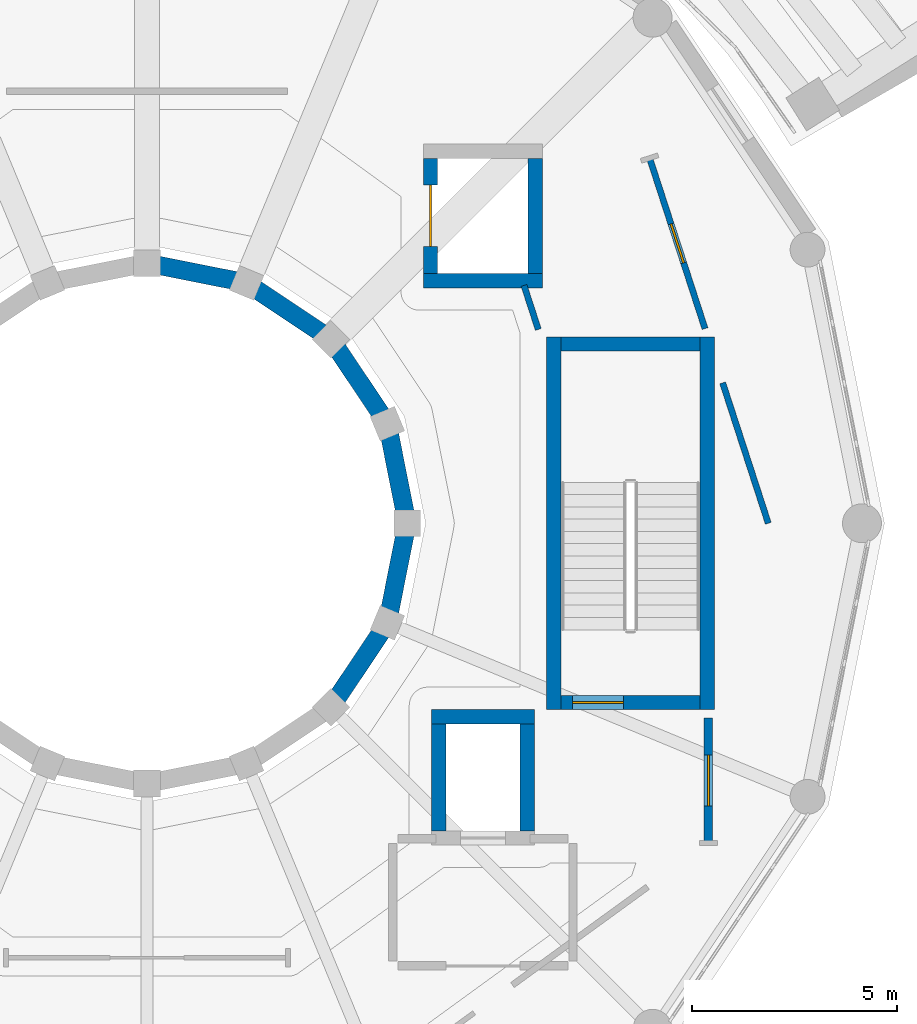
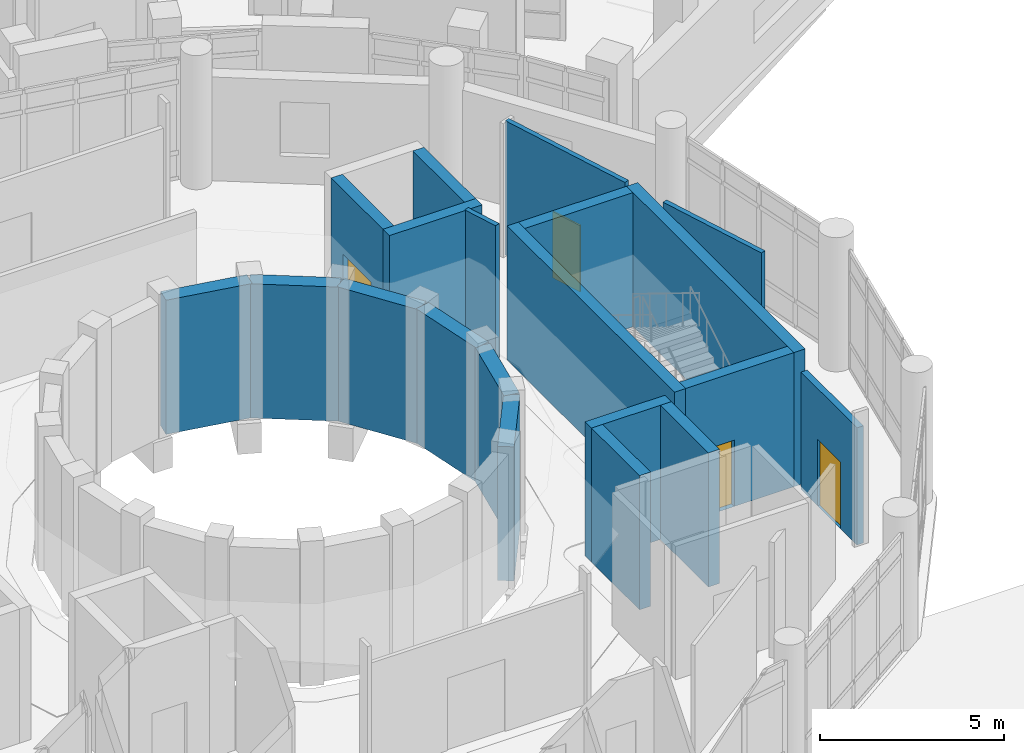
# One storey, part 51 of 75: 20 walls, 4 doors, 4 openings.
"""IFC4 building model written with IfcOpenShell, lengths in metres."""

from ifc_helpers import new_model, si_unit, direction, frame, frame_2d, origin, place, context, subcontext, project, spatial, rectangle, extrude, material, layer, layer_set, type_object, element, fill, save


model = new_model("IFC4")

# Units and contexts
model_context = context("Model", 3, precision=1e-05, world=origin(), true_north=direction((0.0, 1.0)))
body_context = subcontext(model_context, "Body", "Model", "MODEL_VIEW")
ifc_project = project(units=[si_unit("LENGTHUNIT", "METRE"), si_unit("AREAUNIT", "SQUARE_METRE"), si_unit("VOLUMEUNIT", "CUBIC_METRE"), si_unit("PLANEANGLEUNIT", "RADIAN"), si_unit("MASSUNIT", "GRAM", prefix="KILO")], contexts=[model_context])

# Site, building, storey
site_placement = place(None, origin())
site = spatial("IfcSite", under=ifc_project, at=site_placement, CompositionType="ELEMENT")
building_placement = place(site_placement, origin())
building = spatial("IfcBuilding", under=site, at=building_placement, Name="Soyqirgoq Riverine Aquarium", CompositionType="ELEMENT")
storey_placement = place(building_placement, frame((0.0, 0.0, 10.199951171875)))
storey = spatial("IfcBuildingStorey", under=building, at=storey_placement, Name="L03", CompositionType="ELEMENT", Elevation=10.199951171875)

# Walls
ifc_material_1 = material(Name="Concrete C40/50", Category="concrete")
ifc_layer_1 = layer(ifc_material_1, 0.35009765625)
ifc_layer_set_1 = layer_set([ifc_layer_1], Name="Concrete C40/50")
wall_type_1 = type_object("IfcWallType", Name="CoreShearWall_350_C40", PredefinedType="SHEAR", material=ifc_layer_set_1)
wall_1_placement = place(storey_placement, frame((69.675048828125, 52.449951171875, 0.0), z_axis=(0.0, 0.0, 1.0), x_axis=(0.0, 1.0, 0.0)))
element("IfcWall", 1, at=wall_1_placement, inside=storey, type_object=wall_type_1, Name="CORE-1 L03 Stair Core Shear Wall SIDE1", PredefinedType="SHEAR", context=body_context, shape_type="SweptSolid", body=[
    extrude(rectangle(XDim=9.10009765625, YDim=0.35009765625, at=frame_2d((4.550048828125, 0.0))), origin(), (0.0, 0.0, 1.0), 4.449951171875),
])
wall_2_placement = place(storey_placement, frame((69.5, 61.375, 0.0), z_axis=(0.0, 0.0, 1.0), x_axis=(-1.0, 0.0, 0.0)))
element("IfcWall", 2, at=wall_2_placement, inside=storey, type_object=wall_type_1, Name="CORE-1 L03 Stair Core Shear Wall BACK", PredefinedType="SHEAR", context=body_context, shape_type="SweptSolid", body=[
    extrude(rectangle(XDim=3.39990234375, YDim=0.35009765625, at=frame_2d((1.699951171875, 0.0))), origin(), (0.0, 0.0, 1.0), 4.449951171875),
])
wall_3_placement = place(storey_placement, frame((65.925048828125, 61.550048828125, 0.0), z_axis=(0.0, 0.0, 1.0), x_axis=(0.0, -1.0, 0.0)))
element("IfcWall", 3, at=wall_3_placement, inside=storey, type_object=wall_type_1, Name="CORE-1 L03 Stair Core Shear Wall SIDE2", PredefinedType="SHEAR", context=body_context, shape_type="SweptSolid", body=[
    extrude(rectangle(XDim=9.10009765625, YDim=0.35009765625, at=frame_2d((4.550048828125, 0.0))), origin(), (0.0, 0.0, 1.0), 4.449951171875),
])

# Wall, opening, door
wall_4_placement = place(storey_placement, frame((66.10009765625, 52.625, 0.0), z_axis=(0.0, 0.0, 1.0), x_axis=(1.0, 0.0, 0.0)))
wall_4 = element("IfcWall", 4, at=wall_4_placement, inside=storey, type_object=wall_type_1, Name="CORE-1 L03 Stair Core Shear Wall FRONT", PredefinedType="SHEAR", context=body_context, shape_type="SweptSolid", body=[
    extrude(rectangle(XDim=3.39990234375, YDim=0.35009765625, at=frame_2d((1.699951171875, 0.0))), origin(), (0.0, 0.0, 1.0), 4.449951171875),
])
opening_1_placement = place(wall_4_placement, frame((0.280029296875, 0.0, 0.0)))
opening_1 = element("IfcOpeningElement", 5, at=opening_1_placement, cuts=wall_4, Name="Opening FD-01", PredefinedType="OPENING", context=body_context, shape_type="SweptSolid", body=[
    extrude(rectangle(XDim=1.25, YDim=2.199951171875, at=frame_2d((0.625, 1.10009765625))), frame((0.0, 0.18505859375, 0.0), z_axis=(0.0, -1.0, 0.0), x_axis=(1.0, 0.0, 0.0)), (0.0, 0.0, 1.0), 0.3701171875),
])
ifc_material_2 = material(Name="Galvanised steel fire-resisting stair door", Category="steel")
door_type_1 = type_object("IfcDoorType", Name="StairFireDoor_1250x2200_EI90", OperationType="NOTDEFINED", PredefinedType="DOOR", material=ifc_material_2)
door_1_placement = place(opening_1_placement, origin())
door_1 = element("IfcDoor", 6, at=door_1_placement, inside=storey, type_object=door_type_1, Name="DR-ST-1-L03 ST-1 L03 Fire-Rated Stairwell Door", OperationType="SINGLE_SWING_RIGHT", OverallHeight=2.199951171875, OverallWidth=1.25, PredefinedType="DOOR", context=body_context, shape_type="SweptSolid", body=[
    extrude(rectangle(XDim=1.25, YDim=2.199951171875, at=frame_2d((0.625, 1.10009765625))), frame((0.0, 0.02490234375, 0.0), z_axis=(0.0, -1.0, 0.0), x_axis=(1.0, 0.0, 0.0)), (0.0, 0.0, 1.0), 0.050048828125),
])
fill(opening_1, door_1)

# Walls
wall_5_placement = place(storey_placement, frame((65.280029296875, 49.4951171875, 0.0), z_axis=(0.0, 0.0, 1.0), x_axis=(0.0, 1.0, 0.0)))
element("IfcWall", 7, at=wall_5_placement, inside=storey, type_object=wall_type_1, Name="Lift FFL-1 Shaft Wall L03 2", PredefinedType="SHEAR", context=body_context, shape_type="SweptSolid", body=[
    extrude(rectangle(XDim=2.60986328125, YDim=0.35009765625, at=frame_2d((1.304931640625, 0.0))), origin(), (0.0, 0.0, 1.0), 4.449951171875),
])
wall_6_placement = place(storey_placement, frame((65.455078125, 52.280029296875, 0.0), z_axis=(0.0, 0.0, 1.0), x_axis=(-1.0, 0.0, 0.0)))
element("IfcWall", 8, at=wall_6_placement, inside=storey, type_object=wall_type_1, Name="Lift FFL-1 Shaft Wall L03 3", PredefinedType="SHEAR", context=body_context, shape_type="SweptSolid", body=[
    extrude(rectangle(XDim=2.510009765625, YDim=0.35009765625, at=frame_2d((1.2548828125, 0.0))), origin(), (0.0, 0.0, 1.0), 4.449951171875),
])
wall_7_placement = place(storey_placement, frame((63.1201171875, 52.10498046875, 0.0), z_axis=(0.0, 0.0, 1.0), x_axis=(0.0, -1.0, 0.0)))
element("IfcWall", 9, at=wall_7_placement, inside=storey, type_object=wall_type_1, Name="Lift FFL-1 Shaft Wall L03 4", PredefinedType="SHEAR", context=body_context, shape_type="SweptSolid", body=[
    extrude(rectangle(XDim=2.60986328125, YDim=0.35009765625, at=frame_2d((1.304931640625, 0.0))), origin(), (0.0, 0.0, 1.0), 4.449951171875),
])
wall_8_placement = place(storey_placement, frame((62.7451171875, 62.919921875, 0.0), z_axis=(0.0, 0.0, 1.0), x_axis=(1.0, 0.0, 0.0)))
element("IfcWall", 10, at=wall_8_placement, inside=storey, type_object=wall_type_1, Name="Lift GL-1 Shaft Wall L03 1", PredefinedType="SHEAR", context=body_context, shape_type="SweptSolid", body=[
    extrude(rectangle(XDim=2.909912109375, YDim=0.35009765625, at=frame_2d((1.455078125, 0.0))), origin(), (0.0, 0.0, 1.0), 4.449951171875),
])
wall_9_placement = place(storey_placement, frame((65.47998046875, 63.094970703125, 0.0), z_axis=(0.0, 0.0, 1.0), x_axis=(0.0, 1.0, 0.0)))
element("IfcWall", 11, at=wall_9_placement, inside=storey, type_object=wall_type_1, Name="Lift GL-1 Shaft Wall L03 2", PredefinedType="SHEAR", context=body_context, shape_type="SweptSolid", body=[
    extrude(rectangle(XDim=2.81005859375, YDim=0.35009765625, at=frame_2d((1.405029296875, 0.0))), origin(), (0.0, 0.0, 1.0), 4.449951171875),
])

# Wall, opening, door
wall_10_placement = place(storey_placement, frame((62.919921875, 65.905029296875, 0.0), z_axis=(0.0, 0.0, 1.0), x_axis=(0.0, -1.0, 0.0)))
wall_10 = element("IfcWall", 12, at=wall_10_placement, inside=storey, type_object=wall_type_1, Name="Lift GL-1 Shaft Wall L03 4", PredefinedType="SHEAR", context=body_context, shape_type="SweptSolid", body=[
    extrude(rectangle(XDim=2.81005859375, YDim=0.35009765625, at=frame_2d((1.405029296875, 0.0))), origin(), (0.0, 0.0, 1.0), 4.449951171875),
])
opening_2_placement = place(wall_10_placement, frame((0.655029296875, 0.0, 0.0)))
opening_2 = element("IfcOpeningElement", 13, at=opening_2_placement, cuts=wall_10, Name="Opening LD-02", PredefinedType="OPENING", context=body_context, shape_type="SweptSolid", body=[
    extrude(rectangle(XDim=1.5, YDim=2.300048828125, at=frame_2d((0.75, 1.14990234375))), frame((0.0, 0.18505859375, 0.0), z_axis=(0.0, -1.0, 0.0), x_axis=(1.0, 0.0, 0.0)), (0.0, 0.0, 1.0), 0.3701171875),
])
ifc_material_3 = material(Name="Heavy-duty stainless steel bi-parting lift landing door", Category="steel")
door_type_2 = type_object("IfcDoorType", Name="GoodsLiftLandingDoor_1500x2300", OperationType="SLIDING_TO_LEFT", PredefinedType="DOOR", material=ifc_material_3)
door_2_placement = place(opening_2_placement, origin())
door_2 = element("IfcDoor", 14, at=door_2_placement, inside=storey, type_object=door_type_2, Name="LD-GL-1-L03 Lift GL-1 L03 Sliding Landing Door", OperationType="SLIDING_TO_LEFT", OverallHeight=2.300048828125, OverallWidth=1.5, PredefinedType="DOOR", context=body_context, shape_type="SweptSolid", body=[
    extrude(rectangle(XDim=1.5, YDim=2.300048828125, at=frame_2d((0.75, 1.14990234375))), frame((0.0, 0.02490234375, 0.0), z_axis=(0.0, -1.0, 0.0), x_axis=(1.0, 0.0, 0.0)), (0.0, 0.0, 1.0), 0.050048828125),
])
fill(opening_2, door_2)

# Walls
ifc_material_4 = material(Name="Concrete C40/50", Category="concrete")
ifc_layer_2 = layer(ifc_material_4, 0.449951171875)
ifc_layer_set_2 = layer_set([ifc_layer_2], Name="Concrete C40/50")
wall_type_2 = type_object("IfcWallType", Name="CoreShearWall_450_C40", PredefinedType="SHEAR", material=ifc_layer_set_2)
wall_11_placement = place(storey_placement, frame((62.35009765625, 57.0, 0.0), z_axis=(0.0, 0.0, 1.0), x_axis=(-0.195111669554, 0.980781033872, 0.0)))
element("IfcWall", 15, at=wall_11_placement, inside=storey, type_object=wall_type_2, Name="Ocean Tank Containment Wall Segment 01 L03", PredefinedType="SHEAR", context=body_context, shape_type="SweptSolid", body=[
    extrude(rectangle(XDim=2.4775390625, YDim=0.449951171875, at=frame_2d((1.23876953125, 0.0))), origin(), (0.0, 0.0, 1.0), 4.449951171875),
])
for number, where, z_axis, x_axis, name in (
    (16, (61.86669921875, 59.429931640625, 0.0), (0.0, 0.0, 1.0), (-0.55563212942, 0.831428251117, 0.0), "Ocean Tank Containment Wall Segment 02 L03"),
    (17, (60.489990234375, 61.489990234375, 0.0), (0.0, 0.0, 1.0), (-0.831428251117, 0.55563212942, 0.0), "Ocean Tank Containment Wall Segment 03 L03"),
):
    element("IfcWall", number, at=place(storey_placement, frame(where, z_axis=z_axis, x_axis=x_axis)), inside=storey, type_object=wall_type_2, Name=name, PredefinedType="SHEAR", context=body_context, shape_type="SweptSolid", body=[
        extrude(rectangle(XDim=2.477783203125, YDim=0.449951171875, at=frame_2d((1.23876953125, 0.0))), origin(), (0.0, 0.0, 1.0), 4.449951171875),
    ])
wall_12_placement = place(storey_placement, frame((58.429931640625, 62.86669921875, 0.0), z_axis=(0.0, 0.0, 1.0), x_axis=(-0.980781033872, 0.195111669554, 0.0)))
element("IfcWall", 18, at=wall_12_placement, inside=storey, type_object=wall_type_2, Name="Ocean Tank Containment Wall Segment 04 L03", PredefinedType="SHEAR", context=body_context, shape_type="SweptSolid", body=[
    extrude(rectangle(XDim=2.4775390625, YDim=0.449951171875, at=frame_2d((1.23876953125, 0.0))), origin(), (0.0, 0.0, 1.0), 4.449951171875),
])
wall_13_placement = place(storey_placement, frame((60.489990234375, 52.510009765625, 0.0), z_axis=(0.0, 0.0, 1.0), x_axis=(0.55563212942, 0.831428251117, 0.0)))
element("IfcWall", 19, at=wall_13_placement, inside=storey, type_object=wall_type_2, Name="Ocean Tank Containment Wall Segment 15 L03", PredefinedType="SHEAR", context=body_context, shape_type="SweptSolid", body=[
    extrude(rectangle(XDim=2.477783203125, YDim=0.449951171875, at=frame_2d((1.23876953125, 0.0))), origin(), (0.0, 0.0, 1.0), 4.449951171875),
])
wall_14_placement = place(storey_placement, frame((61.86669921875, 54.570068359375, 0.0), z_axis=(0.0, 0.0, 1.0), x_axis=(0.195111669554, 0.980781033872, 0.0)))
element("IfcWall", 20, at=wall_14_placement, inside=storey, type_object=wall_type_2, Name="Ocean Tank Containment Wall Segment 16 L03", PredefinedType="SHEAR", context=body_context, shape_type="SweptSolid", body=[
    extrude(rectangle(XDim=2.4775390625, YDim=0.449951171875, at=frame_2d((1.23876953125, 0.0))), origin(), (0.0, 0.0, 1.0), 4.449951171875),
])

# Wall, opening, door
ifc_material_5 = material(Name="Acoustic mineral-wool twin-stud partition", Category="gypsum")
ifc_layer_3 = layer(ifc_material_5, 0.14990234375)
ifc_layer_set_3 = layer_set([ifc_layer_3], Name="Acoustic mineral-wool twin-stud partition")
wall_type_3 = type_object("IfcWallType", Name="PartitionWall_150_Acoustic", PredefinedType="PARTITIONING", material=ifc_layer_set_3)
wall_15_placement = place(storey_placement, frame((68.26708984375, 65.91259765625, 0.0), z_axis=(0.0, 0.0, 1.0), x_axis=(0.309023007411, -0.95105456252, 0.0)))
wall_15 = element("IfcWall", 21, at=wall_15_placement, inside=storey, type_object=wall_type_3, Name="Ocean Tank Panorama Gallery Partition Wall", PredefinedType="PARTITIONING", context=body_context, shape_type="SweptSolid", body=[
    extrude(rectangle(XDim=4.376708984375, YDim=0.14990234375, at=frame_2d((2.1884765625, 0.0))), origin(), (0.0, 0.0, 1.0), 4.449951171875),
])
opening_3_placement = place(wall_15_placement, frame((1.6884765625, 0.0, 0.0)))
opening_3 = element("IfcOpeningElement", 22, at=opening_3_placement, cuts=wall_15, Name="Opening ID-03", PredefinedType="OPENING", context=body_context, shape_type="SweptSolid", body=[
    extrude(rectangle(XDim=1.0, YDim=2.199951171875, at=frame_2d((0.5, 1.10009765625))), frame((0.0, 0.0849609375, 0.0), z_axis=(0.0, -1.0, 0.0), x_axis=(1.0, 0.0, 0.0)), (0.0, 0.0, 1.0), 0.169921875),
])
ifc_material_6 = material(Name="Solid-core ash veneer room door", Category="wood")
door_type_3 = type_object("IfcDoorType", Name="RoomDoor_1000x2200", OperationType="NOTDEFINED", PredefinedType="DOOR", material=ifc_material_6)
door_3_placement = place(opening_3_placement, origin())
door_3 = element("IfcDoor", 23, at=door_3_placement, inside=storey, type_object=door_type_3, Name="IDR-V1-L03-0040 Ocean Drum Circulation Corridor Door", OperationType="SINGLE_SWING_RIGHT", OverallHeight=2.199951171875, OverallWidth=1.0, PredefinedType="DOOR", context=body_context, shape_type="SweptSolid", body=[
    extrude(rectangle(XDim=1.0, YDim=2.199951171875, at=frame_2d((0.5, 1.10009765625))), frame((0.0, 0.02490234375, 0.0), z_axis=(0.0, -1.0, 0.0), x_axis=(1.0, 0.0, 0.0)), (0.0, 0.0, 1.0), 0.050048828125),
])
fill(opening_3, door_3)

# Walls
wall_16_placement = place(storey_placement, frame((70.050048828125, 60.42578125, 0.0), z_axis=(0.0, 0.0, 1.0), x_axis=(0.309000246947, -0.951061957701, 0.0)))
element("IfcWall", 24, at=wall_16_placement, inside=storey, type_object=wall_type_3, Name="Ocean Tank Panorama Gallery Partition Wall", PredefinedType="PARTITIONING", context=body_context, shape_type="SweptSolid", body=[
    extrude(rectangle(XDim=3.60205078125, YDim=0.14990234375, at=frame_2d((1.801025390625, 0.0))), origin(), (0.0, 0.0, 1.0), 4.449951171875),
])
wall_17_placement = place(storey_placement, frame((65.550048828125, 61.72998046875, 0.0), z_axis=(0.0, 0.0, 1.0), x_axis=(-0.309032395142, 0.951051512145, 0.0)))
element("IfcWall", 25, at=wall_17_placement, inside=storey, type_object=wall_type_3, Name="Kelp Canopy Viewing Terrace Room Partition Wall", PredefinedType="PARTITIONING", context=body_context, shape_type="SweptSolid", body=[
    extrude(rectangle(XDim=1.13134765625, YDim=0.14990234375, at=frame_2d((0.565673828125, 0.0))), origin(), (0.0, 0.0, 1.0), 4.449951171875),
])

# Wall, opening, door
ifc_material_7 = material(Name="Fire-rated calcium silicate twin-stud partition", Category="gypsum")
ifc_layer_4 = layer(ifc_material_7, 0.199951171875)
ifc_layer_set_4 = layer_set([ifc_layer_4], Name="Fire-rated calcium silicate twin-stud partition")
wall_type_4 = type_object("IfcWallType", Name="PartitionWall_200_EI90", PredefinedType="PARTITIONING", material=ifc_layer_set_4)
wall_18_placement = place(storey_placement, frame((69.699951171875, 49.199951171875, 0.0), z_axis=(0.0, 0.0, 1.0), x_axis=(0.0, 1.0, 0.0)))
wall_18 = element("IfcWall", 26, at=wall_18_placement, inside=storey, type_object=wall_type_4, Name="Stair Vestibule ST-1 Fire Enclosure Wall", PredefinedType="PARTITIONING", context=body_context, shape_type="SweptSolid", body=[
    extrude(rectangle(XDim=3.050048828125, YDim=0.199951171875, at=frame_2d((1.52490234375, 0.0))), origin(), (0.0, 0.0, 1.0), 3.89013671875),
])
opening_4_placement = place(wall_18_placement, frame((0.89990234375, 0.0, 0.0)))
opening_4 = element("IfcOpeningElement", 27, at=opening_4_placement, cuts=wall_18, Name="Opening FD-01", PredefinedType="OPENING", context=body_context, shape_type="SweptSolid", body=[
    extrude(rectangle(XDim=1.25, YDim=2.199951171875, at=frame_2d((0.625, 1.10009765625))), frame((0.0, 0.10986328125, 0.0), z_axis=(0.0, -1.0, 0.0), x_axis=(1.0, 0.0, 0.0)), (0.0, 0.0, 1.0), 0.219970703125),
])
door_4_placement = place(opening_4_placement, origin())
door_4 = element("IfcDoor", 28, at=door_4_placement, inside=storey, type_object=door_type_1, Name="IDR-V1-L03-0036 Stair Vestibule ST-1 Egress Fire Door", OperationType="SINGLE_SWING_LEFT", OverallHeight=2.199951171875, OverallWidth=1.25, PredefinedType="DOOR", context=body_context, shape_type="SweptSolid", body=[
    extrude(rectangle(XDim=1.25, YDim=2.199951171875, at=frame_2d((0.625, 1.10009765625))), frame((0.0, 0.02490234375, 0.0), z_axis=(0.0, -1.0, 0.0), x_axis=(1.0, 0.0, 0.0)), (0.0, 0.0, 1.0), 0.050048828125),
])
fill(opening_4, door_4)

save(model, "model.ifc")
